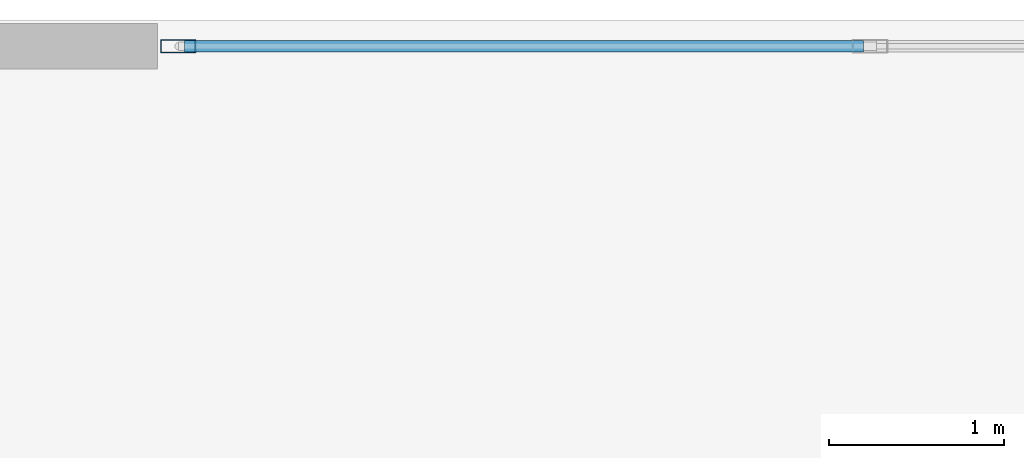
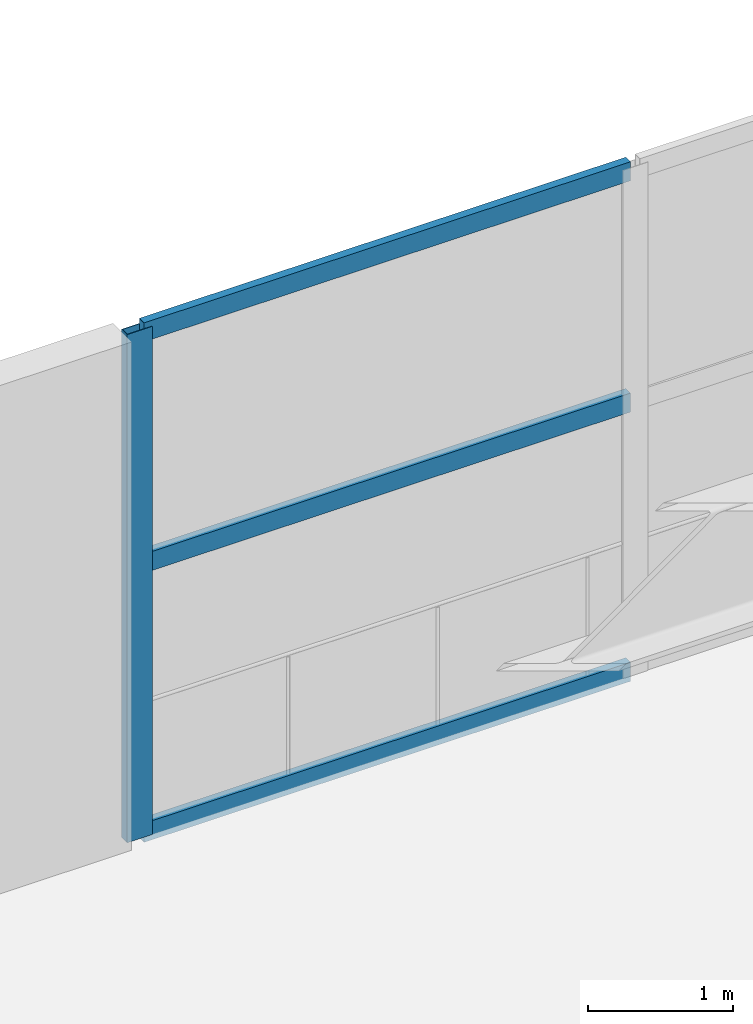
# One storey, part 10 of 25: 4 members, 1 element without a shape of its own.
"""IFC4 building model written with IfcOpenShell, lengths in metres."""

from ifc_helpers import new_model, si_unit, direction, frame, origin, origin_2d, place, context, subcontext, project, spatial, hollow_rectangle, extrude, material, layer, layer_set, material_profile, profile_set, type_object, element, aggregate, save


model = new_model("IFC4")

# Units and contexts
model_context = context("Model", 3, precision=1e-05, world=origin(), true_north=direction((0.0, 1.0)))
body_context = subcontext(model_context, "Body", "Model", "MODEL_VIEW")
ifc_project = project(units=[si_unit("LENGTHUNIT", "METRE"), si_unit("AREAUNIT", "SQUARE_METRE"), si_unit("VOLUMEUNIT", "CUBIC_METRE"), si_unit("PLANEANGLEUNIT", "RADIAN"), si_unit("MASSUNIT", "GRAM", prefix="KILO")], contexts=[model_context])

# Site, building, storey
site_placement = place(None, origin())
site = spatial("IfcSite", under=ifc_project, at=site_placement, CompositionType="ELEMENT")
building_placement = place(site_placement, origin())
building = spatial("IfcBuilding", under=site, at=building_placement, Name="Solvane Sanctuary Tower", CompositionType="ELEMENT")
storey_placement = place(building_placement, frame((0.0, 0.0, 4.60009765625)))
storey = spatial("IfcBuildingStorey", under=building, at=storey_placement, Name="L02", CompositionType="ELEMENT", Elevation=4.60009765625)

# Curtain wall, members
ifc_material = material(Name="Anodised Aluminium 6063-T6", Category="aluminium")
ifc_layer = layer(ifc_material, 0.159912109375, Name="Anodised Aluminium 6063-T6")
ifc_layer_set = layer_set([ifc_layer], Name="Anodised Aluminium 6063-T6")
curtain_wall_type = type_object("IfcCurtainWallType", Name="Curtain Wall CW-POD", PredefinedType="NOTDEFINED", material=ifc_layer_set)
curtain_wall_placement = place(storey_placement, origin())
curtain_wall = element("IfcCurtainWall", 1, at=curtain_wall_placement, inside=storey, type_object=curtain_wall_type, Name="L02 Sanctuary Curtain Wall N2", PredefinedType="NOTDEFINED")
ifc_material_profile_1 = material_profile(ifc_material, hollow_rectangle(XDim=0.074951171875, YDim=0.199951171875, WallThickness=0.00390625, at=origin_2d()), Name="ALU200X75X4")
ifc_profile_set_1 = profile_set([ifc_material_profile_1], Name="Anodised Aluminium 6063-T6")
member_type_1 = type_object("IfcMemberType", Name="Member M-CW-MUL-1 ALU200X75X4", PredefinedType="MULLION", material=ifc_profile_set_1)
member_1_placement = place(storey_placement, frame((20.117431640625, 45.85009765625, 0.0), z_axis=(0.0, 0.0, 1.0), x_axis=(0.0, -1.0, 0.0)))
member_1 = element("IfcMember", 2, at=member_1_placement, type_object=member_type_1, Name="CW-POD mullion 7", PredefinedType="MULLION", context=body_context, shape_type="SweptSolid", body=[
    extrude(hollow_rectangle(XDim=0.074951171875, YDim=0.199951171875, WallThickness=0.00390625, at=origin_2d()), origin(), (0.0, 0.0, 1.0), 4.27978515625),
])
ifc_material_profile_2 = material_profile(ifc_material, hollow_rectangle(XDim=0.06494140625, YDim=0.159912109375, WallThickness=0.00341796875, at=origin_2d()), Name="ALU160X65X3.5")
ifc_profile_set_2 = profile_set([ifc_material_profile_2], Name="Anodised Aluminium 6063-T6")
member_type_2 = type_object("IfcMemberType", Name="Member M-CW-TRN-1 ALU160X65X3.5", PredefinedType="USERDEFINED", material=ifc_profile_set_2)
member_2_placement = place(storey_placement, frame((24.029052734375, 45.85009765625, 0.032470703125), z_axis=(-1.0, 0.0, 0.0), x_axis=(0.0, -1.0, 0.0)))
member_2 = element("IfcMember", 3, at=member_2_placement, type_object=member_type_2, Name="CW-POD transom 6.1", ObjectType="TRANSOM", PredefinedType="USERDEFINED", context=body_context, shape_type="SweptSolid", body=[
    extrude(hollow_rectangle(XDim=0.06494140625, YDim=0.159912109375, WallThickness=0.00341796875, at=origin_2d()), origin(), (0.0, 0.0, 1.0), 3.8740234375),
])
member_3_placement = place(storey_placement, frame((24.029052734375, 45.85009765625, 2.2998046875), z_axis=(-1.0, 0.0, 0.0), x_axis=(0.0, -1.0, 0.0)))
member_3 = element("IfcMember", 4, at=member_3_placement, type_object=member_type_2, Name="CW-POD transom 6.2", ObjectType="TRANSOM", PredefinedType="USERDEFINED", context=body_context, shape_type="SweptSolid", body=[
    extrude(hollow_rectangle(XDim=0.06494140625, YDim=0.159912109375, WallThickness=0.00341796875, at=origin_2d()), origin(), (0.0, 0.0, 1.0), 3.8740234375),
])
member_4_placement = place(storey_placement, frame((24.029052734375, 45.85009765625, 4.247314453125), z_axis=(-1.0, 0.0, 0.0), x_axis=(0.0, -1.0, 0.0)))
member_4 = element("IfcMember", 5, at=member_4_placement, type_object=member_type_2, Name="CW-POD transom 6.3", ObjectType="TRANSOM", PredefinedType="USERDEFINED", context=body_context, shape_type="SweptSolid", body=[
    extrude(hollow_rectangle(XDim=0.06494140625, YDim=0.159912109375, WallThickness=0.00341796875, at=origin_2d()), origin(), (0.0, 0.0, 1.0), 3.8740234375),
])
aggregate(curtain_wall, [member_1, member_2, member_3, member_4])

save(model, "model.ifc")
